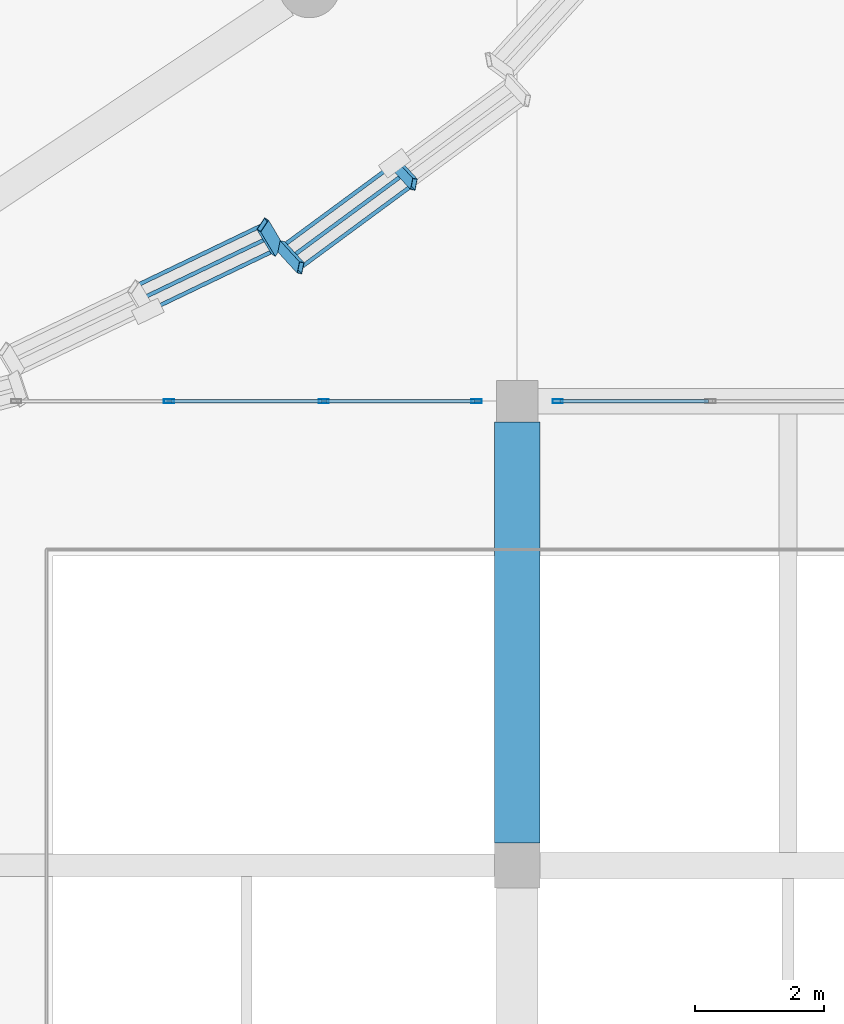
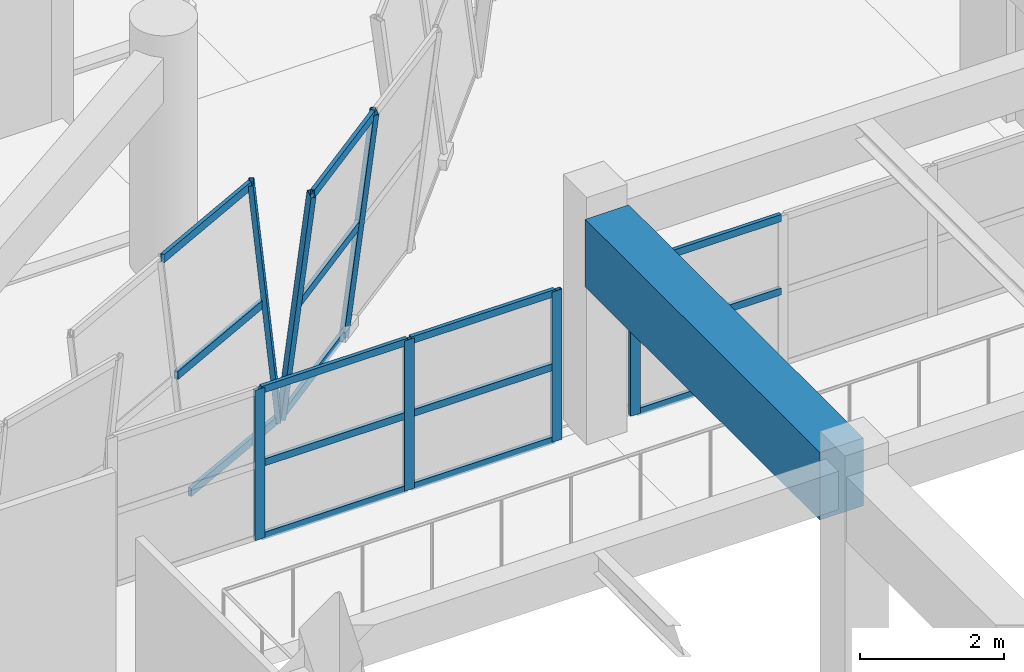
# One storey, part 27 of 71: 22 members, 1 beam, 4 elements without a shape of their own.
"""IFC4 building model written with IfcOpenShell, lengths in metres."""

from ifc_helpers import new_model, si_unit, direction, frame, origin, origin_2d, place, context, subcontext, project, spatial, rectangle, hollow_rectangle, extrude, material, material_profile, profile_set, type_object, element, aggregate, save


model = new_model("IFC4")

# Units and contexts
model_context = context("Model", 3, precision=1e-05, world=origin(), true_north=direction((0.0, 1.0)))
body_context = subcontext(model_context, "Body", "Model", "MODEL_VIEW")
ifc_project = project(units=[si_unit("LENGTHUNIT", "METRE"), si_unit("AREAUNIT", "SQUARE_METRE"), si_unit("VOLUMEUNIT", "CUBIC_METRE"), si_unit("PLANEANGLEUNIT", "RADIAN"), si_unit("MASSUNIT", "GRAM", prefix="KILO")], contexts=[model_context])

# Site, building, storey
site_placement = place(None, origin())
site = spatial("IfcSite", under=ifc_project, at=site_placement, CompositionType="ELEMENT")
building_placement = place(site_placement, origin())
building = spatial("IfcBuilding", under=site, at=building_placement, Name="Korsvaeld Concert Hall", CompositionType="ELEMENT")
storey_placement = place(building_placement, frame((0.0, 0.0, 4.800048828125)))
storey = spatial("IfcBuildingStorey", under=building, at=storey_placement, Name="L01", CompositionType="ELEMENT", Elevation=4.800048828125)

# Beam
ifc_material_1 = material(Name="Concrete C40/50", Category="concrete")
ifc_material_profile_1 = material_profile(ifc_material_1, rectangle(XDim=0.699951171875, YDim=1.14990234375, at=origin_2d()), Name="RC 700x1150")
ifc_profile_set_1 = profile_set([ifc_material_profile_1], Name="Concrete C40/50")
beam_type = type_object("IfcBeamType", Name="BM-RC-700x1150", PredefinedType="T_BEAM", material=ifc_profile_set_1)
beam_placement = place(storey_placement, frame((100.800048828125, 36.35009765625, 3.264892578125), z_axis=(0.0, 1.0, 0.0), x_axis=(-1.0, 0.0, 0.0)))
element("IfcBeam", 1, at=beam_placement, inside=storey, type_object=beam_type, Name="Primary girder 14/F-G L01", PredefinedType="T_BEAM", context=body_context, shape_type="SweptSolid", body=[
    extrude(rectangle(XDim=0.699951171875, YDim=1.14990234375, at=origin_2d()), origin(), (0.0, 0.0, 1.0), 6.52490234375),
])

# Curtain wall, members
ifc_material_2 = material(Name="Anodised bronze and ceramic-fritted safety glass", Category="glass")
curtain_wall_type_1 = type_object("IfcCurtainWallType", Name="CW-TYPE-13", PredefinedType="USERDEFINED", material=ifc_material_2)
curtain_wall_1_placement = place(storey_placement, origin())
curtain_wall_1 = element("IfcCurtainWall", 2, at=curtain_wall_1_placement, inside=storey, type_object=curtain_wall_type_1, Name="Glazed foyer acoustic screen L01-29", ObjectType="CURTAIN WALL", PredefinedType="USERDEFINED")
ifc_material_3 = material(Name="Anodised architectural bronze aluminium", Category="aluminium")
ifc_material_profile_2 = material_profile(ifc_material_3, hollow_rectangle(XDim=0.06005859375, YDim=0.159912109375, WallThickness=0.00390625, at=origin_2d()), Name="CWM 160x60x4")
ifc_profile_set_2 = profile_set([ifc_material_profile_2], Name="Anodised architectural bronze aluminium")
member_type_1 = type_object("IfcMemberType", Name="CWM-ALUM-160x60", PredefinedType="MULLION", material=ifc_profile_set_2)
member_1_placement = place(storey_placement, frame((95.39990234375, 43.199951171875, 0.0), z_axis=(0.0, 0.0, 1.0), x_axis=(0.0, 1.0, 0.0)))
member_1 = element("IfcMember", 3, at=member_1_placement, type_object=member_type_1, Name="CW-13 mullion 2", PredefinedType="MULLION", context=body_context, shape_type="SweptSolid", body=[
    extrude(hollow_rectangle(XDim=0.06005859375, YDim=0.159912109375, WallThickness=0.00390625, at=origin_2d()), origin(), (0.0, 0.0, 1.0), 2.550048828125),
])
member_2_placement = place(storey_placement, frame((97.800048828125, 43.199951171875, 0.0), z_axis=(0.0, 0.0, 1.0), x_axis=(0.0, 1.0, 0.0)))
member_2 = element("IfcMember", 4, at=member_2_placement, type_object=member_type_1, Name="CW-13 mullion 3", PredefinedType="MULLION", context=body_context, shape_type="SweptSolid", body=[
    extrude(hollow_rectangle(XDim=0.06005859375, YDim=0.159912109375, WallThickness=0.00390625, at=origin_2d()), origin(), (0.0, 0.0, 1.0), 2.550048828125),
])
member_3_placement = place(storey_placement, frame((100.169921875, 43.199951171875, 0.0), z_axis=(0.0, 0.0, 1.0), x_axis=(0.0, 1.0, 0.0)))
member_3 = element("IfcMember", 5, at=member_3_placement, type_object=member_type_1, Name="CW-13 mullion 4", PredefinedType="MULLION", context=body_context, shape_type="SweptSolid", body=[
    extrude(hollow_rectangle(XDim=0.06005859375, YDim=0.159912109375, WallThickness=0.00390625, at=origin_2d()), origin(), (0.0, 0.0, 1.0), 2.550048828125),
])

# Curtain wall, member
curtain_wall_type_2 = type_object("IfcCurtainWallType", Name="CW-TYPE-14", PredefinedType="USERDEFINED", material=ifc_material_2)
curtain_wall_2_placement = place(storey_placement, origin())
curtain_wall_2 = element("IfcCurtainWall", 6, at=curtain_wall_2_placement, inside=storey, type_object=curtain_wall_type_2, Name="Glazed foyer acoustic screen L01-30", ObjectType="CURTAIN WALL", PredefinedType="USERDEFINED")
member_4_placement = place(storey_placement, frame((101.429931640625, 43.199951171875, 0.0), z_axis=(0.0, 0.0, 1.0), x_axis=(0.0, 1.0, 0.0)))
member_4 = element("IfcMember", 7, at=member_4_placement, type_object=member_type_1, Name="CW-14 mullion 1", PredefinedType="MULLION", context=body_context, shape_type="SweptSolid", body=[
    extrude(hollow_rectangle(XDim=0.06005859375, YDim=0.159912109375, WallThickness=0.00390625, at=origin_2d()), origin(), (0.0, 0.0, 1.0), 2.550048828125),
])

# Curtain wall, members
curtain_wall_type_3 = type_object("IfcCurtainWallType", Name="CW-TYPE-04", PredefinedType="USERDEFINED", material=ifc_material_2)
curtain_wall_3_placement = place(storey_placement, origin())
curtain_wall_3 = element("IfcCurtainWall", 8, at=curtain_wall_3_placement, inside=storey, type_object=curtain_wall_type_3, Name="Crystal curtain-wall facet L01 F28", ObjectType="CURTAIN WALL", PredefinedType="USERDEFINED")
ifc_material_profile_3 = material_profile(ifc_material_3, hollow_rectangle(XDim=0.074951171875, YDim=0.179931640625, WallThickness=0.0048828125, at=origin_2d()), Name="CWM 180x75x5")
ifc_profile_set_3 = profile_set([ifc_material_profile_3], Name="Anodised architectural bronze aluminium")
member_type_2 = type_object("IfcMemberType", Name="CWM-BRONZE-180x75", PredefinedType="MULLION", material=ifc_profile_set_3)
member_5_placement = place(storey_placement, frame((97.1416015625, 45.594970703125, 0.0), z_axis=(0.076399797549, -0.083527110905, 0.993572489896), x_axis=(-0.977623029166, 0.189609004859, 0.091113325707)))
member_5 = element("IfcMember", 9, at=member_5_placement, type_object=member_type_2, Name="CW-CRYS-L01-F28 crystal mullion 1", PredefinedType="MULLION", context=body_context, shape_type="SweptSolid", body=[
    extrude(hollow_rectangle(XDim=0.074951171875, YDim=0.179931640625, WallThickness=0.0048828125, at=origin_2d()), origin(), (0.0, 0.0, 1.0), 3.905029296875),
])
member_6_placement = place(storey_placement, frame((98.899658203125, 46.89111328125, 0.0), z_axis=(0.076337242942, -0.083589593623, 0.993572043275), x_axis=(-0.97747454033, 0.190371504957, 0.091116480989)))
member_6 = element("IfcMember", 10, at=member_6_placement, type_object=member_type_2, Name="CW-CRYS-L01-F28 crystal mullion 2", PredefinedType="MULLION", context=body_context, shape_type="SweptSolid", body=[
    extrude(hollow_rectangle(XDim=0.074951171875, YDim=0.179931640625, WallThickness=0.0048828125, at=origin_2d()), origin(), (0.0, 0.0, 1.0), 3.905029296875),
])

# Curtain wall, member
curtain_wall_type_4 = type_object("IfcCurtainWallType", Name="CW-TYPE-03", PredefinedType="USERDEFINED", material=ifc_material_2)
curtain_wall_4_placement = place(storey_placement, origin())
curtain_wall_4 = element("IfcCurtainWall", 11, at=curtain_wall_4_placement, inside=storey, type_object=curtain_wall_type_4, Name="Crystal curtain-wall facet L01 F27", ObjectType="CURTAIN WALL", PredefinedType="USERDEFINED")
ifc_material_profile_4 = material_profile(ifc_material_3, hollow_rectangle(XDim=0.074951171875, YDim=0.219970703125, WallThickness=0.006103515625, at=origin_2d()), Name="CWM 220x75x6")
ifc_profile_set_4 = profile_set([ifc_material_profile_4], Name="Anodised architectural bronze aluminium")
member_type_3 = type_object("IfcMemberType", Name="CWM-BRONZE-220x75", PredefinedType="MULLION", material=ifc_profile_set_4)
member_7_placement = place(storey_placement, frame((97.07763671875, 45.556640625, 0.0), z_axis=(-0.057893742062, 0.097281493141, 0.993571651026), x_axis=(0.829999138773, -0.548349174532, 0.102052008437)))
member_7 = element("IfcMember", 12, at=member_7_placement, type_object=member_type_3, Name="CW-CRYS-L01-F27 crystal mullion 3", PredefinedType="MULLION", context=body_context, shape_type="SweptSolid", body=[
    extrude(hollow_rectangle(XDim=0.074951171875, YDim=0.219970703125, WallThickness=0.006103515625, at=origin_2d()), origin(), (0.0, 0.0, 1.0), 3.905029296875),
])

# Member
ifc_material_profile_5 = material_profile(ifc_material_3, hollow_rectangle(XDim=0.06005859375, YDim=0.1201171875, WallThickness=0.00390625, at=origin_2d()), Name="CWT 120x60x4")
ifc_profile_set_5 = profile_set([ifc_material_profile_5], Name="Anodised architectural bronze aluminium")
member_type_4 = type_object("IfcMemberType", Name="CWT-ALUM-120x60", PredefinedType="USERDEFINED", material=ifc_profile_set_5)
member_8_placement = place(storey_placement, frame((95.429931640625, 43.199951171875, 0.030029296875), z_axis=(1.0, 0.0, 0.0), x_axis=(0.0, 1.0, 0.0)))
member_8 = element("IfcMember", 13, at=member_8_placement, type_object=member_type_4, Name="CW-13 transom 2.1", ObjectType="TRANSOM", PredefinedType="USERDEFINED", context=body_context, shape_type="SweptSolid", body=[
    extrude(hollow_rectangle(XDim=0.06005859375, YDim=0.1201171875, WallThickness=0.00390625, at=origin_2d()), origin(), (0.0, 0.0, 1.0), 2.340087890625),
])

member_9_placement = place(storey_placement, frame((95.429931640625, 43.199951171875, 1.27490234375), z_axis=(1.0, 0.0, 0.0), x_axis=(0.0, 1.0, 0.0)))
member_9 = element("IfcMember", 14, at=member_9_placement, type_object=member_type_4, Name="CW-13 transom 2.2", ObjectType="TRANSOM", PredefinedType="USERDEFINED", context=body_context, shape_type="SweptSolid", body=[
    extrude(hollow_rectangle(XDim=0.06005859375, YDim=0.1201171875, WallThickness=0.00390625, at=origin_2d()), origin(), (0.0, 0.0, 1.0), 2.340087890625),
])

member_10_placement = place(storey_placement, frame((95.429931640625, 43.199951171875, 2.52001953125), z_axis=(1.0, 0.0, 0.0), x_axis=(0.0, 1.0, 0.0)))
member_10 = element("IfcMember", 15, at=member_10_placement, type_object=member_type_4, Name="CW-13 transom 2.3", ObjectType="TRANSOM", PredefinedType="USERDEFINED", context=body_context, shape_type="SweptSolid", body=[
    extrude(hollow_rectangle(XDim=0.06005859375, YDim=0.1201171875, WallThickness=0.00390625, at=origin_2d()), origin(), (0.0, 0.0, 1.0), 2.340087890625),
])

member_11_placement = place(storey_placement, frame((97.830078125, 43.199951171875, 0.030029296875), z_axis=(1.0, 0.0, 0.0), x_axis=(0.0, 1.0, 0.0)))
member_11 = element("IfcMember", 16, at=member_11_placement, type_object=member_type_4, Name="CW-13 transom 3.1", ObjectType="TRANSOM", PredefinedType="USERDEFINED", context=body_context, shape_type="SweptSolid", body=[
    extrude(hollow_rectangle(XDim=0.06005859375, YDim=0.1201171875, WallThickness=0.00390625, at=origin_2d()), origin(), (0.0, 0.0, 1.0), 2.309814453125),
])

member_12_placement = place(storey_placement, frame((97.830078125, 43.199951171875, 1.27490234375), z_axis=(1.0, 0.0, 0.0), x_axis=(0.0, 1.0, 0.0)))
member_12 = element("IfcMember", 17, at=member_12_placement, type_object=member_type_4, Name="CW-13 transom 3.2", ObjectType="TRANSOM", PredefinedType="USERDEFINED", context=body_context, shape_type="SweptSolid", body=[
    extrude(hollow_rectangle(XDim=0.06005859375, YDim=0.1201171875, WallThickness=0.00390625, at=origin_2d()), origin(), (0.0, 0.0, 1.0), 2.309814453125),
])

member_13_placement = place(storey_placement, frame((97.830078125, 43.199951171875, 2.52001953125), z_axis=(1.0, 0.0, 0.0), x_axis=(0.0, 1.0, 0.0)))
member_13 = element("IfcMember", 18, at=member_13_placement, type_object=member_type_4, Name="CW-13 transom 3.3", ObjectType="TRANSOM", PredefinedType="USERDEFINED", context=body_context, shape_type="SweptSolid", body=[
    extrude(hollow_rectangle(XDim=0.06005859375, YDim=0.1201171875, WallThickness=0.00390625, at=origin_2d()), origin(), (0.0, 0.0, 1.0), 2.309814453125),
])

aggregate(curtain_wall_1, [member_1, member_2, member_3, member_8, member_9, member_10, member_11, member_12, member_13])

member_14_placement = place(storey_placement, frame((101.4599609375, 43.199951171875, 0.030029296875), z_axis=(1.0, 0.0, 0.0), x_axis=(0.0, 1.0, 0.0)))
member_14 = element("IfcMember", 19, at=member_14_placement, type_object=member_type_4, Name="CW-14 transom 1.1", ObjectType="TRANSOM", PredefinedType="USERDEFINED", context=body_context, shape_type="SweptSolid", body=[
    extrude(hollow_rectangle(XDim=0.06005859375, YDim=0.1201171875, WallThickness=0.00390625, at=origin_2d()), origin(), (0.0, 0.0, 1.0), 2.31005859375),
])

member_15_placement = place(storey_placement, frame((101.4599609375, 43.199951171875, 1.27490234375), z_axis=(1.0, 0.0, 0.0), x_axis=(0.0, 1.0, 0.0)))
member_15 = element("IfcMember", 20, at=member_15_placement, type_object=member_type_4, Name="CW-14 transom 1.2", ObjectType="TRANSOM", PredefinedType="USERDEFINED", context=body_context, shape_type="SweptSolid", body=[
    extrude(hollow_rectangle(XDim=0.06005859375, YDim=0.1201171875, WallThickness=0.00390625, at=origin_2d()), origin(), (0.0, 0.0, 1.0), 2.31005859375),
])

member_16_placement = place(storey_placement, frame((101.4599609375, 43.199951171875, 2.52001953125), z_axis=(1.0, 0.0, 0.0), x_axis=(0.0, 1.0, 0.0)))
member_16 = element("IfcMember", 21, at=member_16_placement, type_object=member_type_4, Name="CW-14 transom 1.3", ObjectType="TRANSOM", PredefinedType="USERDEFINED", context=body_context, shape_type="SweptSolid", body=[
    extrude(hollow_rectangle(XDim=0.06005859375, YDim=0.1201171875, WallThickness=0.00390625, at=origin_2d()), origin(), (0.0, 0.0, 1.0), 2.31005859375),
])

aggregate(curtain_wall_2, [member_4, member_14, member_15, member_16])

ifc_material_profile_6 = material_profile(ifc_material_3, hollow_rectangle(XDim=0.06005859375, YDim=0.139892578125, WallThickness=0.00390625, at=origin_2d()), Name="CWT 140x60x4")
ifc_profile_set_6 = profile_set([ifc_material_profile_6], Name="Anodised architectural bronze aluminium")
member_type_5 = type_object("IfcMemberType", Name="CWT-BRONZE-140x60", PredefinedType="USERDEFINED", material=ifc_profile_set_6)
member_17_placement = place(storey_placement, frame((95.103515625, 44.612548828125, 0.030029296875), z_axis=(0.901508884705, 0.432760592935, 0.0), x_axis=(-0.432760592935, 0.901508884705, 0.0)))
member_17 = element("IfcMember", 22, at=member_17_placement, type_object=member_type_5, Name="CW-CRYS-L01-F27 crystal transom 2.1", ObjectType="TRANSOM", PredefinedType="USERDEFINED", context=body_context, shape_type="SweptSolid", body=[
    extrude(hollow_rectangle(XDim=0.06005859375, YDim=0.139892578125, WallThickness=0.00390625, at=origin_2d()), origin(), (0.0, 0.0, 1.0), 2.150634765625),
])

member_18_placement = place(storey_placement, frame((94.9921875, 44.799560546875, 1.93994140625), z_axis=(0.901508884705, 0.432760592935, 0.0), x_axis=(-0.432760592935, 0.901508884705, 0.0)))
member_18 = element("IfcMember", 23, at=member_18_placement, type_object=member_type_5, Name="CW-CRYS-L01-F27 crystal transom 2.2", ObjectType="TRANSOM", PredefinedType="USERDEFINED", context=body_context, shape_type="SweptSolid", body=[
    extrude(hollow_rectangle(XDim=0.06005859375, YDim=0.139892578125, WallThickness=0.00390625, at=origin_2d()), origin(), (0.0, 0.0, 1.0), 2.150634765625),
])

member_19_placement = place(storey_placement, frame((94.880859375, 44.986572265625, 3.849853515625), z_axis=(0.901508884705, 0.432760592935, 0.0), x_axis=(-0.432760592935, 0.901508884705, 0.0)))
member_19 = element("IfcMember", 24, at=member_19_placement, type_object=member_type_5, Name="CW-CRYS-L01-F27 crystal transom 2.3", ObjectType="TRANSOM", PredefinedType="USERDEFINED", context=body_context, shape_type="SweptSolid", body=[
    extrude(hollow_rectangle(XDim=0.06005859375, YDim=0.139892578125, WallThickness=0.00390625, at=origin_2d()), origin(), (0.0, 0.0, 1.0), 2.150634765625),
])

aggregate(curtain_wall_4, [member_7, member_17, member_18, member_19])

member_20_placement = place(storey_placement, frame((97.174072265625, 45.61474609375, 0.030029296875), z_axis=(0.804945265899, 0.593349070031, 0.0), x_axis=(-0.593349070031, 0.804945265899, 0.0)))
member_20 = element("IfcMember", 25, at=member_20_placement, type_object=member_type_5, Name="CW-CRYS-L01-F28 crystal transom 1.1", ObjectType="TRANSOM", PredefinedType="USERDEFINED", context=body_context, shape_type="SweptSolid", body=[
    extrude(hollow_rectangle(XDim=0.06005859375, YDim=0.139892578125, WallThickness=0.00390625, at=origin_2d()), origin(), (0.0, 0.0, 1.0), 2.109130859375),
])

member_21_placement = place(storey_placement, frame((97.321044921875, 45.4541015625, 1.93994140625), z_axis=(0.804904507896, 0.593404358906, 0.0), x_axis=(-0.593404358906, 0.804904507896, 0.0)))
member_21 = element("IfcMember", 26, at=member_21_placement, type_object=member_type_5, Name="CW-CRYS-L01-F28 crystal transom 1.2", ObjectType="TRANSOM", PredefinedType="USERDEFINED", context=body_context, shape_type="SweptSolid", body=[
    extrude(hollow_rectangle(XDim=0.06005859375, YDim=0.139892578125, WallThickness=0.00390625, at=origin_2d()), origin(), (0.0, 0.0, 1.0), 2.10888671875),
])

member_22_placement = place(storey_placement, frame((97.4677734375, 45.29345703125, 3.849853515625), z_axis=(0.804904507896, 0.593404358906, 0.0), x_axis=(-0.593404358906, 0.804904507896, 0.0)))
member_22 = element("IfcMember", 27, at=member_22_placement, type_object=member_type_5, Name="CW-CRYS-L01-F28 crystal transom 1.3", ObjectType="TRANSOM", PredefinedType="USERDEFINED", context=body_context, shape_type="SweptSolid", body=[
    extrude(hollow_rectangle(XDim=0.06005859375, YDim=0.139892578125, WallThickness=0.00390625, at=origin_2d()), origin(), (0.0, 0.0, 1.0), 2.10888671875),
])

aggregate(curtain_wall_3, [member_5, member_6, member_20, member_21, member_22])

save(model, "model.ifc")
